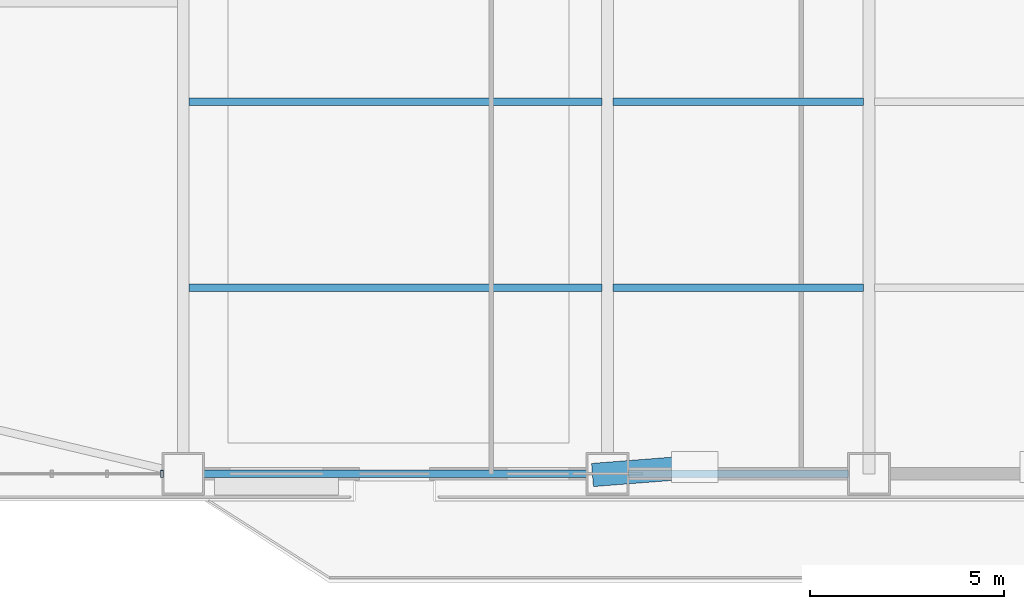
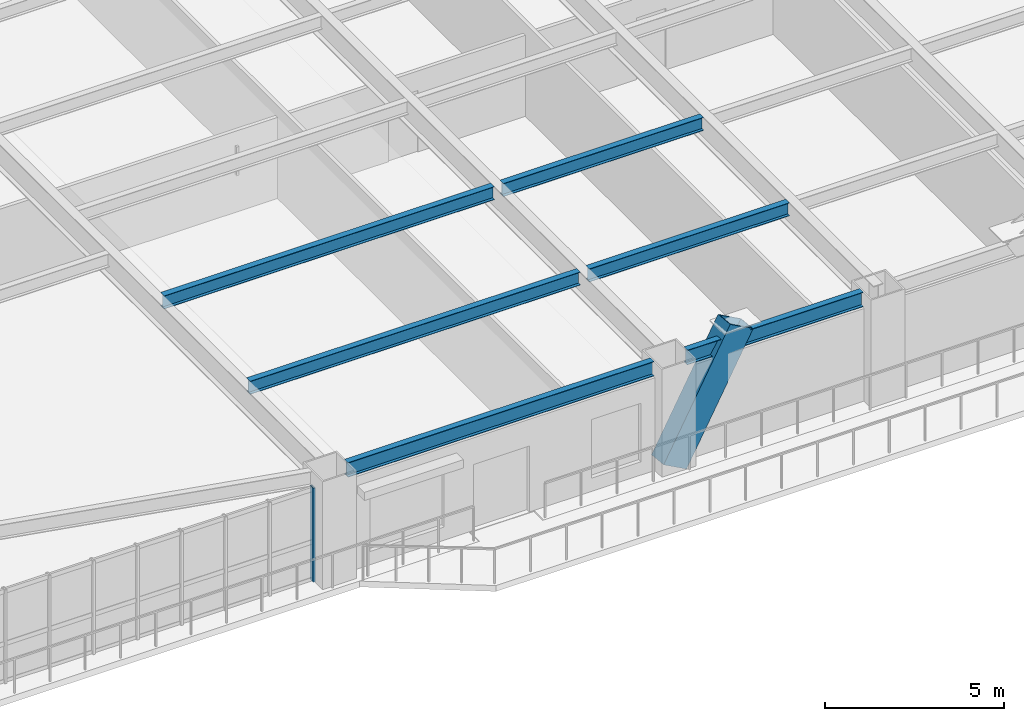
# One storey, part 4 of 17: 6 beams, 2 members, 1 element without a shape of its own.
"""IFC4 building model written with IfcOpenShell, lengths in metres."""

import ifcopenshell
import ifcopenshell.guid

model = None  # the IFC model being written
_history = None  # IfcOwnerHistory: only IFC2X3 demands one
_inside = {}  # id of a spatial element -> (the spatial element, [elements in it])
_under = {}  # id of a project, library or spatial element -> (it, [spatial elements below it])
_declared = {}  # id of a project -> (the project, [libraries it declares])
_typed = {}  # id of a type object -> (the type object, [elements of that type])
_made_of = {}  # id of a material, layer set ... -> (it, [elements and type objects made of it])


def new_model(schema):
    """Start an empty IFC model of exactly this schema.

    Asked for "IFC4X3", IfcOpenShell would pick the latest addendum, in which some entities
    have other attributes; the version numbers below select the first issue.
    IFC2X3 requires an IfcOwnerHistory on every rooted entity: one is made here for all.
    """
    global model, _history
    if schema == "IFC4X3":
        model = ifcopenshell.file(schema_version=(4, 3, 0, 0))
    else:
        model = ifcopenshell.file(schema=schema)
    _inside.clear()
    _under.clear()
    _declared.clear()
    _typed.clear()
    _made_of.clear()
    _history = None
    if model.schema == "IFC2X3":
        org = make("IfcOrganization", Name="unknown")
        user = make(
            "IfcPersonAndOrganization",
            ThePerson=make("IfcPerson", FamilyName="unknown"),
            TheOrganization=org,
        )
        app = make(
            "IfcApplication",
            ApplicationDeveloper=org,
            Version="unknown",
            ApplicationFullName="unknown",
            ApplicationIdentifier="unknown",
        )
        _history = make(
            "IfcOwnerHistory",
            OwningUser=user,
            OwningApplication=app,
            ChangeAction="ADDED",
            CreationDate=0,
        )
    return model


def make(cls, **values):
    """One entity of the class cls with the attributes given. An attribute that is None is left unset."""
    return model.create_entity(
        cls, **{name: value for name, value in values.items() if value is not None}
    )


def rooted(cls, **values):
    """An entity with a GlobalId (a new one), such as an element, a storey or a relation."""
    return make(cls, GlobalId=ifcopenshell.guid.new(), OwnerHistory=_history, **values)


def si_unit(unit_type, name, prefix=None):
    """IfcSIUnit, for example si_unit("LENGTHUNIT", "METRE", prefix="MILLI")."""
    return make("IfcSIUnit", UnitType=unit_type, Prefix=prefix, Name=name)


def assignment(units):
    """IfcUnitAssignment: the units of a project."""
    return None if units is None else make("IfcUnitAssignment", Units=units)


def point(xyz):
    """IfcCartesianPoint."""
    return None if xyz is None else make("IfcCartesianPoint", Coordinates=xyz)


def direction(xyz):
    """IfcDirection."""
    return None if xyz is None else make("IfcDirection", DirectionRatios=xyz)


def frame(location, z_axis=None, x_axis=None):
    """IfcAxis2Placement3D, a coordinate frame: its origin and axes. An axis left out is left unset."""
    return make(
        "IfcAxis2Placement3D",
        Location=point(location),
        Axis=direction(z_axis),
        RefDirection=direction(x_axis),
    )


def frame_2d(location, x_axis=None):
    """IfcAxis2Placement2D, a coordinate frame in the plane: its origin and x axis."""
    return make(
        "IfcAxis2Placement2D", Location=point(location), RefDirection=direction(x_axis)
    )


def origin():
    """The frame at (0, 0, 0) with its axes left unset."""
    return frame((0.0, 0.0, 0.0))


def origin_2d():
    """The frame at (0, 0) in the plane with its x axis left unset."""
    return frame_2d((0.0, 0.0))


def place(relative_to, where):
    """IfcLocalPlacement: puts the frame where relative to a parent placement (None: the world)."""
    return make(
        "IfcLocalPlacement", PlacementRelTo=relative_to, RelativePlacement=where
    )


def context(
    kind, dimensions, precision=None, world=None, true_north=None, identifier=None
):
    """IfcGeometricRepresentationContext, for example the 3D "Model" context."""
    return make(
        "IfcGeometricRepresentationContext",
        ContextIdentifier=identifier,
        ContextType=kind,
        CoordinateSpaceDimension=dimensions,
        Precision=precision,
        WorldCoordinateSystem=world,
        TrueNorth=true_north,
    )


def subcontext(parent, identifier, kind, view, scale=None):
    """IfcGeometricRepresentationSubContext, for example "Body" below "Model"."""
    return make(
        "IfcGeometricRepresentationSubContext",
        ContextIdentifier=identifier,
        ContextType=kind,
        ParentContext=parent,
        TargetScale=scale,
        TargetView=view,
    )


def project(units=None, contexts=None):
    """IfcProject with its units and contexts."""
    return rooted(
        "IfcProject",
        Name="project",
        RepresentationContexts=contexts,
        UnitsInContext=assignment(units),
    )


def spatial(cls, under=None, at=None, **own):
    """A site, building, storey or space (cls), placed at a placement, below another one or the project."""
    s = rooted(cls, ObjectPlacement=at, **own)
    if under is not None:
        _under.setdefault(under.id(), (under, []))[1].append(s)
    return s


def profile(cls, at=None, kind="AREA", **sizes):
    """A parametric profile (cls). Its sizes go by their IFC names, for example OverallWidth=200.0."""
    return make(cls, ProfileType=kind, Position=at, **sizes)


def hollow_rectangle(**sizes):
    """IfcRectangleHollowProfileDef."""
    return profile("IfcRectangleHollowProfileDef", **sizes)


def i_section(**sizes):
    """IfcIShapeProfileDef."""
    return profile("IfcIShapeProfileDef", **sizes)


def extrude(swept, where, along, depth):
    """IfcExtrudedAreaSolid: the profile swept, set in the frame where, extruded along a direction by depth."""
    return make(
        "IfcExtrudedAreaSolid",
        SweptArea=swept,
        Position=where,
        ExtrudedDirection=direction(along),
        Depth=depth,
    )


def shape(context_of_items, identifier, shape_type, items):
    """IfcShapeRepresentation: the items that make up one representation, for example the "Body"."""
    return make(
        "IfcShapeRepresentation",
        ContextOfItems=context_of_items,
        RepresentationIdentifier=identifier,
        RepresentationType=shape_type,
        Items=items,
    )


def source(mapping_origin, context_of_items, identifier, shape_type, items):
    """IfcRepresentationMap: a shape defined once, which mapped items show again and again."""
    return make(
        "IfcRepresentationMap",
        MappingOrigin=mapping_origin,
        MappedRepresentation=shape(context_of_items, identifier, shape_type, items),
    )


def transform(
    local_origin,
    x_axis=None,
    y_axis=None,
    z_axis=None,
    scale=None,
    scale2=None,
    scale3=None,
    uniform=True,
):
    """IfcCartesianTransformationOperator3D, or its non-uniform kind. x_axis, y_axis, z_axis: its Axis1, 2, 3."""
    if uniform:
        return make(
            "IfcCartesianTransformationOperator3D",
            Axis1=direction(x_axis),
            Axis2=direction(y_axis),
            LocalOrigin=point(local_origin),
            Scale=scale,
            Axis3=direction(z_axis),
        )
    return make(
        "IfcCartesianTransformationOperator3DnonUniform",
        Axis1=direction(x_axis),
        Axis2=direction(y_axis),
        LocalOrigin=point(local_origin),
        Scale=scale,
        Axis3=direction(z_axis),
        Scale2=scale2,
        Scale3=scale3,
    )


def mapped(mapping_source, mapping_target):
    """IfcMappedItem: shows the shape of a source again, moved by a transform."""
    return make(
        "IfcMappedItem", MappingSource=mapping_source, MappingTarget=mapping_target
    )


def material(Name=None, Category=None):
    """IfcMaterial."""
    return make("IfcMaterial", Name=Name, Category=Category)


def layer(
    of_material, thickness, ventilated=None, Name=None, Category=None, Priority=None
):
    """IfcMaterialLayer: one layer of a wall or slab, of a material (None: an air gap)."""
    return make(
        "IfcMaterialLayer",
        Material=of_material,
        LayerThickness=thickness,
        IsVentilated=ventilated,
        Name=Name,
        Category=Category,
        Priority=Priority,
    )


def layer_set(layers, Name=None):
    """IfcMaterialLayerSet."""
    return make("IfcMaterialLayerSet", MaterialLayers=layers, LayerSetName=Name)


def material_profile(
    of_material, cross_section, Name=None, Category=None, Priority=None
):
    """IfcMaterialProfile: a cross section and its material."""
    return make(
        "IfcMaterialProfile",
        Name=Name,
        Material=of_material,
        Profile=cross_section,
        Priority=Priority,
        Category=Category,
    )


def profile_set(profiles, Name=None, composite=None):
    """IfcMaterialProfileSet."""
    return make(
        "IfcMaterialProfileSet",
        Name=Name,
        MaterialProfiles=profiles,
        CompositeProfile=composite,
    )


def made_of(thing, what):
    """Note that an element or type object is made of a material, layer set ...; save() writes the relation."""
    if what is not None:
        _made_of.setdefault(what.id(), (what, []))[1].append(thing)
    return thing


def type_object(cls, material=None, **own):
    """A type object (cls), such as IfcWallType, which elements share."""
    return made_of(rooted(cls, **own), material)


def element(
    cls,
    number,
    at=None,
    inside=None,
    cuts=None,
    type_object=None,
    material=None,
    context=None,
    identifier="Body",
    shape_type=None,
    held_by="IfcProductDefinitionShape",
    body=None,
    shapes=None,
    **own,
):
    """One element of the class cls, such as IfcWall. Its Tag is "e" and its number.

    at: its placement. inside: the storey or other place that contains it. cuts: it is an
    opening in that element (IfcRelVoidsElement). A single representation is given by context,
    identifier, shape_type and body (its items); several are given by shapes. held_by: the class
    of the entity that holds the representations. save() writes the other relations.
    """
    e = rooted(cls, Tag="e%d" % number, ObjectPlacement=at, **own)
    if body is not None:
        shapes = [shape(context, identifier, shape_type, body)]
    if shapes is not None:
        e.Representation = make(held_by, Representations=shapes)
    if inside is not None:
        _inside.setdefault(inside.id(), (inside, []))[1].append(e)
    if cuts is not None:
        rooted(
            "IfcRelVoidsElement", RelatingBuildingElement=cuts, RelatedOpeningElement=e
        )
    if type_object is not None:
        _typed.setdefault(type_object.id(), (type_object, []))[1].append(e)
    return made_of(e, material)


def aggregate(whole, parts):
    """IfcRelAggregates: a whole, such as a stair, and the parts it consists of."""
    return rooted("IfcRelAggregates", RelatingObject=whole, RelatedObjects=parts)


def save(model, path):
    """Write the relations noted so far, then the file.

    IfcRelAggregates (storeys below a building ...), IfcRelContainedInSpatialStructure (elements
    in a storey), IfcRelDefinesByType, IfcRelAssociatesMaterial and IfcRelDeclares: one each for
    every whole, place, type object, material and project.
    """
    for whole, parts in _under.values():
        aggregate(whole, parts)
    for where, things in _inside.values():
        rooted(
            "IfcRelContainedInSpatialStructure",
            RelatedElements=things,
            RelatingStructure=where,
        )
    for kind, things in _typed.values():
        rooted("IfcRelDefinesByType", RelatedObjects=things, RelatingType=kind)
    for what, things in _made_of.values():
        rooted("IfcRelAssociatesMaterial", RelatedObjects=things, RelatingMaterial=what)
    for by, libraries in _declared.values():
        rooted("IfcRelDeclares", RelatingContext=by, RelatedDefinitions=libraries)
    model.write(path)


model = new_model("IFC4")

# Units and contexts
model_context = context("Model", 3, precision=1e-05, world=origin(), true_north=direction((0.0, 1.0)))
body_context = subcontext(model_context, "Body", "Model", "MODEL_VIEW")
ifc_project = project(units=[si_unit("LENGTHUNIT", "METRE"), si_unit("AREAUNIT", "SQUARE_METRE"), si_unit("VOLUMEUNIT", "CUBIC_METRE"), si_unit("PLANEANGLEUNIT", "RADIAN"), si_unit("MASSUNIT", "GRAM", prefix="KILO")], contexts=[model_context])

# Site, building, storey
site_placement = place(None, origin())
site = spatial("IfcSite", under=ifc_project, at=site_placement, CompositionType="ELEMENT")
building_placement = place(site_placement, origin())
building = spatial("IfcBuilding", under=site, at=building_placement, Name="Giltprow Tower", CompositionType="ELEMENT")
storey_placement = place(building_placement, frame((0.0, 0.0, 37.10009765625)))
storey = spatial("IfcBuildingStorey", under=building, at=storey_placement, Name="L09", CompositionType="ELEMENT", Elevation=37.10009765625)

# Beams
ifc_material_1 = material(Name="Structural steel Q355B", Category="steel")
ifc_material_profile_1 = material_profile(ifc_material_1, i_section(OverallWidth=0.199951171875, OverallDepth=0.5, WebThickness=0.010009765625, FlangeThickness=0.01611328125, at=origin_2d()), Name="HN 500x200x10x16")
ifc_profile_set_1 = profile_set([ifc_material_profile_1], Name="Structural steel Q355B")
beam_type_1 = type_object("IfcBeamType", Name="BM-SPAN-HN500", PredefinedType="SPANDREL", material=ifc_profile_set_1)
shared_shape_1 = source(origin(), body_context, "Body", "SweptSolid", [
    extrude(i_section(OverallWidth=0.199951171875, OverallDepth=0.5, WebThickness=0.010009765625, FlangeThickness=0.01611328125, at=origin_2d()), origin(), (0.0, 0.0, 1.0), 9.8798828125),
])
beam_1_placement = place(storey_placement, frame((20.385009765625, 3.826904296875, 3.429931640625), z_axis=(1.0, 0.0, 0.0), x_axis=(0.0, 1.0, 0.0)))
element("IfcBeam", 1, at=beam_1_placement, inside=storey, type_object=beam_type_1, Name="L09 Perimeter Spandrel Beam S1-S2", PredefinedType="SPANDREL", context=body_context, shape_type="MappedRepresentation", body=[
    mapped(shared_shape_1, transform((0.0, 0.0, 0.0), x_axis=(1.0, 0.0, 0.0), y_axis=(0.0, 1.0, 0.0), z_axis=(0.0, 0.0, 1.0), scale=1.0)),
])
shared_shape_2 = source(origin(), body_context, "Body", "SweptSolid", [
    extrude(i_section(OverallWidth=0.199951171875, OverallDepth=0.5, WebThickness=0.010009765625, FlangeThickness=0.01611328125, at=origin_2d()), origin(), (0.0, 0.0, 1.0), 5.679931640625),
])
beam_2_placement = place(storey_placement, frame((31.3349609375, 3.826904296875, 3.429931640625), z_axis=(1.0, 0.0, 0.0), x_axis=(0.0, 1.0, 0.0)))
element("IfcBeam", 2, at=beam_2_placement, inside=storey, type_object=beam_type_1, Name="L09 Perimeter Spandrel Beam S2-S_MID", PredefinedType="SPANDREL", context=body_context, shape_type="MappedRepresentation", body=[
    mapped(shared_shape_2, transform((0.0, 0.0, 0.0), x_axis=(1.0, 0.0, 0.0), y_axis=(0.0, 1.0, 0.0), z_axis=(0.0, 0.0, 1.0), scale=1.0)),
])
ifc_material_profile_2 = material_profile(ifc_material_1, i_section(OverallWidth=0.199951171875, OverallDepth=0.449951171875, WebThickness=0.009033203125, FlangeThickness=0.013916015625, at=origin_2d()), Name="HN 450x200x9x14")
ifc_profile_set_2 = profile_set([ifc_material_profile_2], Name="Structural steel Q355B")
beam_type_2 = type_object("IfcBeamType", Name="BM-JOIST-HN450", PredefinedType="JOIST", material=ifc_profile_set_2)
shared_shape_3 = source(origin(), body_context, "Body", "SweptSolid", [
    extrude(i_section(OverallWidth=0.199951171875, OverallDepth=0.449951171875, WebThickness=0.009033203125, FlangeThickness=0.013916015625, at=origin_2d()), origin(), (0.0, 0.0, 1.0), 10.659912109375),
])
for number, where, z_axis, x_axis, name in (
    (3, (19.9951171875, 8.6298828125, 3.454833984375), (1.0, 0.0, 0.0), (0.0, 1.0, 0.0), "L09 Composite Floor Joist 1-1"),
    (4, (19.9951171875, 13.43408203125, 3.454833984375), (1.0, 0.0, 0.0), (0.0, 1.0, 0.0), "L09 Composite Floor Joist 2-1"),
):
    element("IfcBeam", number, at=place(storey_placement, frame(where, z_axis=z_axis, x_axis=x_axis)), inside=storey, type_object=beam_type_2, Name=name, PredefinedType="JOIST", context=body_context, shape_type="MappedRepresentation", body=[
        mapped(shared_shape_3, transform((0.0, 0.0, 0.0), x_axis=(1.0, 0.0, 0.0), y_axis=(0.0, 1.0, 0.0), z_axis=(0.0, 0.0, 1.0), scale=1.0)),
    ])
shared_shape_4 = source(origin(), body_context, "Body", "SweptSolid", [
    extrude(i_section(OverallWidth=0.199951171875, OverallDepth=0.449951171875, WebThickness=0.009033203125, FlangeThickness=0.013916015625, at=origin_2d()), origin(), (0.0, 0.0, 1.0), 6.4599609375),
])
for number, where, z_axis, x_axis, name in (
    (5, (30.945068359375, 8.6298828125, 3.454833984375), (1.0, 0.0, 0.0), (0.0, 1.0, 0.0), "L09 Composite Floor Joist 1-2"),
    (6, (30.945068359375, 13.43408203125, 3.454833984375), (1.0, 0.0, 0.0), (0.0, 1.0, 0.0), "L09 Composite Floor Joist 2-2"),
):
    element("IfcBeam", number, at=place(storey_placement, frame(where, z_axis=z_axis, x_axis=x_axis)), inside=storey, type_object=beam_type_2, Name=name, PredefinedType="JOIST", context=body_context, shape_type="MappedRepresentation", body=[
        mapped(shared_shape_4, transform((0.0, 0.0, 0.0), x_axis=(1.0, 0.0, 0.0), y_axis=(0.0, 1.0, 0.0), z_axis=(0.0, 0.0, 1.0), scale=1.0)),
    ])

# Member
ifc_material_2 = material(Name="Structural steel Q420GJC", Category="steel")
ifc_material_profile_3 = material_profile(ifc_material_2, hollow_rectangle(XDim=0.60009765625, YDim=0.89990234375, WallThickness=0.0400390625, at=origin_2d()), Name="RHS 900x600x40")
ifc_profile_set_3 = profile_set([ifc_material_profile_3], Name="Structural steel Q420GJC")
member_type_1 = type_object("IfcMemberType", Name="MBR-MEGA-RHS900", PredefinedType="BRACE", material=ifc_profile_set_3)
shared_shape_5 = source(origin(), body_context, "Body", "SweptSolid", [
    extrude(hollow_rectangle(XDim=0.60009765625, YDim=0.89990234375, WallThickness=0.0400390625, at=origin_2d()), origin(), (0.0, 0.0, 1.0), 4.505859375),
])
member_1_placement = place(storey_placement, frame((30.800048828125, 3.826904296875, 0.0), z_axis=(0.499350364216, 0.039065930187, 0.865518958115), x_axis=(-0.077995186993, 0.996953735539, 0.0)))
element("IfcMember", 7, at=member_1_placement, inside=storey, type_object=member_type_1, Name="L09 Chevron Mega-Brace S-L", PredefinedType="BRACE", context=body_context, shape_type="MappedRepresentation", body=[
    mapped(shared_shape_5, transform((0.0, 0.0, 0.0), x_axis=(1.0, 0.0, 0.0), y_axis=(0.0, 1.0, 0.0), z_axis=(0.0, 0.0, 1.0), scale=1.0)),
])

# Curtain wall, member
ifc_material_3 = material(Name="Anodized bronze", Category="metal")
ifc_layer = layer(ifc_material_3, 0.179931640625, Name="Anodized bronze")
ifc_layer_set = layer_set([ifc_layer], Name="Anodized bronze")
curtain_wall_type = type_object("IfcCurtainWallType", Name="CW-OFF-RECESSED", PredefinedType="NOTDEFINED", material=ifc_layer_set)
curtain_wall_placement = place(storey_placement, origin())
curtain_wall = element("IfcCurtainWall", 8, at=curtain_wall_placement, inside=storey, type_object=curtain_wall_type, Name="L09 South Recessed Curtain Wall 1", PredefinedType="NOTDEFINED")
ifc_material_profile_4 = material_profile(ifc_material_3, hollow_rectangle(XDim=0.074951171875, YDim=0.179931640625, WallThickness=0.008056640625, at=origin_2d()), Name="RHS 180x75x8")
ifc_profile_set_4 = profile_set([ifc_material_profile_4], Name="Anodized bronze")
member_type_2 = type_object("IfcMemberType", Name="CW-MULLION-180x75", PredefinedType="MULLION", material=ifc_profile_set_4)
shared_shape_6 = source(origin(), body_context, "Body", "SweptSolid", [
    extrude(hollow_rectangle(XDim=0.074951171875, YDim=0.179931640625, WallThickness=0.008056640625, at=origin_2d()), origin(), (0.0, 0.0, 1.0), 3.21484375),
])
member_2_placement = place(storey_placement, frame((19.300048828125, 3.826904296875, -0.02001953125), z_axis=(0.0, 0.0, 1.0), x_axis=(1.0, 0.0, 0.0)))
member_2 = element("IfcMember", 9, at=member_2_placement, type_object=member_type_2, Name="L09 South Recessed Curtain Wall 1 Mullion 10", PredefinedType="MULLION", context=body_context, shape_type="MappedRepresentation", body=[
    mapped(shared_shape_6, transform((0.0, 0.0, 0.0), x_axis=(1.0, 0.0, 0.0), y_axis=(0.0, 1.0, 0.0), z_axis=(0.0, 0.0, 1.0), scale=1.0)),
])
aggregate(curtain_wall, [member_2])

save(model, "model.ifc")
